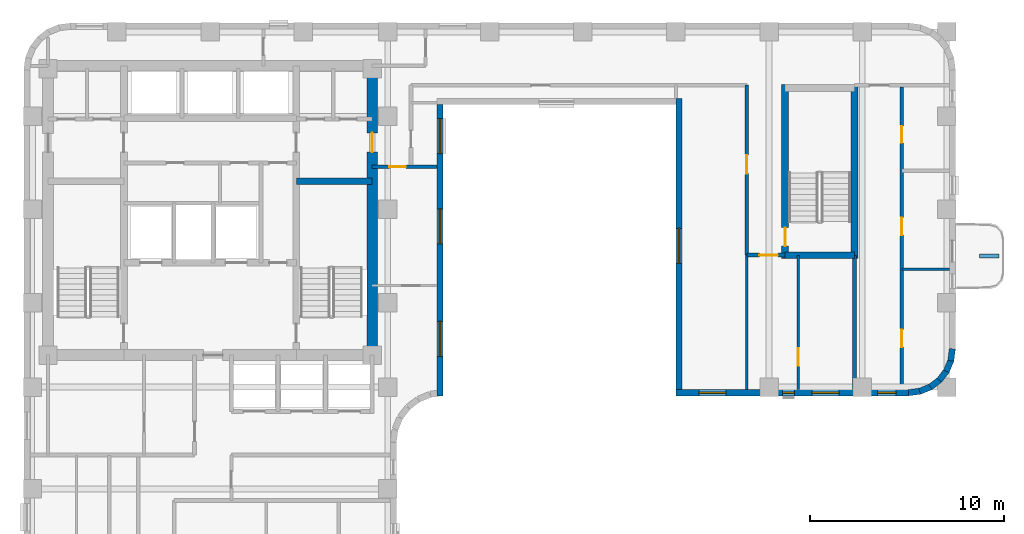
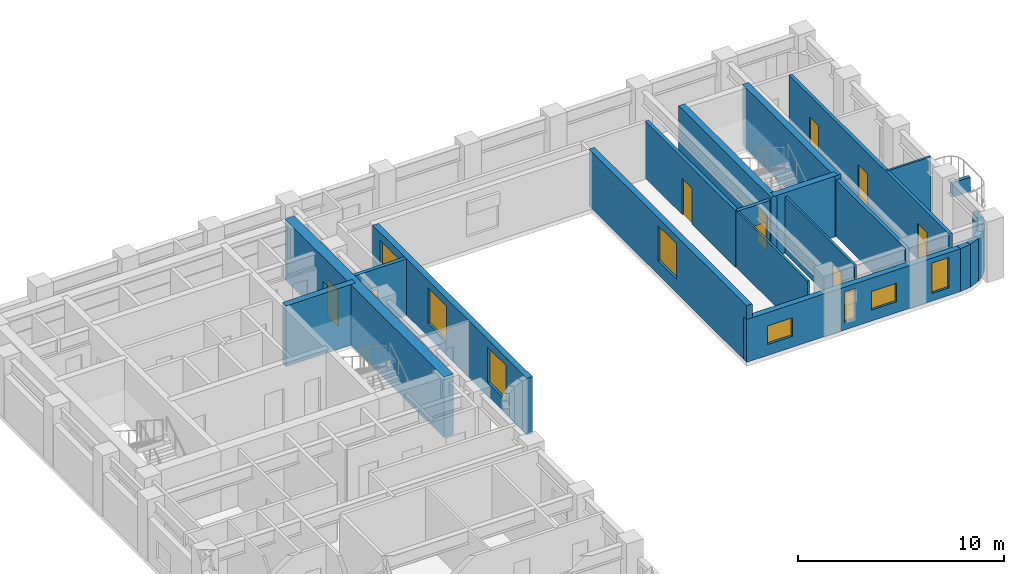
# One storey, part 5 of 10: 23 walls, 9 doors, 8 windows, 17 openings.
"""IFC4 building model written with IfcOpenShell, lengths in metres."""

from ifc_helpers import new_model, si_unit, direction, frame, frame_2d, origin, place, context, subcontext, project, spatial, rectangle, extrude, material, layer, layer_set, type_object, element, fill, save


model = new_model("IFC4")

# Units and contexts
model_context = context("Model", 3, precision=1e-05, world=origin(), true_north=direction((0.0, 1.0)))
body_context = subcontext(model_context, "Body", "Model", "MODEL_VIEW")
ifc_project = project(units=[si_unit("LENGTHUNIT", "METRE"), si_unit("AREAUNIT", "SQUARE_METRE"), si_unit("VOLUMEUNIT", "CUBIC_METRE"), si_unit("PLANEANGLEUNIT", "RADIAN"), si_unit("MASSUNIT", "GRAM", prefix="KILO")], contexts=[model_context])

# Site, building, storey
site_placement = place(None, origin())
site = spatial("IfcSite", under=ifc_project, at=site_placement, CompositionType="ELEMENT")
building_placement = place(site_placement, origin())
building = spatial("IfcBuilding", under=site, at=building_placement, Name="Orvandelia Arch Residences", CompositionType="ELEMENT")
storey_placement = place(building_placement, frame((0.0, 0.0, 179.199951171875)))
storey = spatial("IfcBuildingStorey", under=building, at=storey_placement, Name="L47", CompositionType="ELEMENT", Elevation=179.199951171875)

# Wall
ifc_material_1 = material(Name="Concrete C50/60", Category="concrete")
ifc_layer_1 = layer(ifc_material_1, 0.35009765625, Name="Concrete C50/60", Category="concrete")
ifc_layer_set_1 = layer_set([ifc_layer_1], Name="Concrete C50/60")
wall_type_1 = type_object("IfcWallType", Name="WL-CORE-350", PredefinedType="SHEAR", material=ifc_layer_set_1)
wall_1_placement = place(storey_placement, frame((18.840087890625, 39.85009765625, 0.0), z_axis=(0.0, 0.0, 1.0), x_axis=(1.0, 0.0, 0.0)))
element("IfcWall", 1, at=wall_1_placement, inside=storey, type_object=wall_type_1, Name="Core Shear Wall L47-HZ2", PredefinedType="SHEAR", context=body_context, shape_type="SweptSolid", body=[
    extrude(rectangle(XDim=3.909912109375, YDim=0.35009765625, at=frame_2d((1.955078125, 0.0))), origin(), (0.0, 0.0, 1.0), 3.60009765625),
])

# Wall, opening, door
wall_2_placement = place(storey_placement, frame((44.02001953125, 35.864990234375, 0.0), z_axis=(0.0, 0.0, 1.0), x_axis=(0.0, 1.0, 0.0)))
wall_2 = element("IfcWall", 2, at=wall_2_placement, inside=storey, type_object=wall_type_1, Name="East Stair Core Shear Wall L47-W", PredefinedType="SHEAR", context=body_context, shape_type="SweptSolid", body=[
    extrude(rectangle(XDim=8.969970703125, YDim=0.35009765625, at=frame_2d((4.48486328125, 0.0))), origin(), (0.0, 0.0, 1.0), 3.60009765625),
])
opening_1_placement = place(wall_2_placement, frame((0.64990234375, 0.0, 0.0)))
opening_1 = element("IfcOpeningElement", 3, at=opening_1_placement, cuts=wall_2, Name="Opening D7", PredefinedType="OPENING", context=body_context, shape_type="SweptSolid", body=[
    extrude(rectangle(XDim=0.949951171875, YDim=2.10009765625, at=frame_2d((0.47509765625, 1.050048828125))), frame((0.0, 0.18505859375, 0.0), z_axis=(0.0, -1.0, 0.0), x_axis=(1.0, 0.0, 0.0)), (0.0, 0.0, 1.0), 0.3701171875),
])
ifc_material_2 = material(Name="Pressurised Stairwell Fire Door")
door_type_1 = type_object("IfcDoorType", Name="DR-STAIR-950", OperationType="NOTDEFINED", PredefinedType="DOOR", material=ifc_material_2)
door_1_placement = place(opening_1_placement, origin())
door_1 = element("IfcDoor", 4, at=door_1_placement, inside=storey, type_object=door_type_1, Name="East Stairwell ST-3 Fire Door L47", OperationType="SINGLE_SWING_LEFT", OverallHeight=2.10009765625, OverallWidth=0.949951171875, PredefinedType="DOOR", context=body_context, shape_type="SweptSolid", body=[
    extrude(rectangle(XDim=0.949951171875, YDim=2.10009765625, at=frame_2d((0.47509765625, 1.050048828125))), frame((0.0, 0.02490234375, 0.0), z_axis=(0.0, -1.0, 0.0), x_axis=(1.0, 0.0, 0.0)), (0.0, 0.0, 1.0), 0.050048828125),
])
fill(opening_1, door_1)

# Walls
wall_3_placement = place(storey_placement, frame((47.60009765625, 35.864990234375, 0.0), z_axis=(0.0, 0.0, 1.0), x_axis=(0.0, 1.0, 0.0)))
element("IfcWall", 5, at=wall_3_placement, inside=storey, type_object=wall_type_1, Name="East Stair Core Shear Wall L47-E", PredefinedType="SHEAR", context=body_context, shape_type="SweptSolid", body=[
    extrude(rectangle(XDim=8.969970703125, YDim=0.35009765625, at=frame_2d((4.48486328125, 0.0))), origin(), (0.0, 0.0, 1.0), 3.60009765625),
])
wall_4_placement = place(storey_placement, frame((44.02001953125, 36.0400390625, 0.0), z_axis=(0.0, 0.0, 1.0), x_axis=(1.0, 0.0, 0.0)))
element("IfcWall", 6, at=wall_4_placement, inside=storey, type_object=wall_type_1, Name="East Stair Core Shear Wall L47-S", PredefinedType="SHEAR", context=body_context, shape_type="SweptSolid", body=[
    extrude(rectangle(XDim=3.580078125, YDim=0.35009765625, at=frame_2d((1.7900390625, 0.0))), origin(), (0.0, 0.0, 1.0), 3.60009765625),
])

# Wall, opening, door
ifc_material_3 = material(Name="Concrete C60/75", Category="concrete")
ifc_layer_2 = layer(ifc_material_3, 0.550048828125, Name="Concrete C60/75", Category="concrete")
ifc_layer_set_2 = layer_set([ifc_layer_2], Name="Concrete C60/75")
wall_type_2 = type_object("IfcWallType", Name="WL-CORE-550", PredefinedType="SHEAR", material=ifc_layer_set_2)
wall_5_placement = place(storey_placement, frame((22.75, 30.625, 0.0), z_axis=(0.0, 0.0, 1.0), x_axis=(0.0, 1.0, 0.0)))
wall_5 = element("IfcWall", 7, at=wall_5_placement, inside=storey, type_object=wall_type_2, Name="Core Shear Wall L47-E", PredefinedType="SHEAR", context=body_context, shape_type="SweptSolid", body=[
    extrude(rectangle(XDim=15.449951171875, YDim=0.550048828125, at=frame_2d((7.72509765625, 0.0))), origin(), (0.0, 0.0, 1.0), 3.60009765625),
])
opening_2_placement = place(wall_5_placement, frame((10.72509765625, 0.0, 0.0)))
opening_2 = element("IfcOpeningElement", 8, at=opening_2_placement, cuts=wall_5, Name="Opening D6", PredefinedType="OPENING", context=body_context, shape_type="SweptSolid", body=[
    extrude(rectangle(XDim=1.0, YDim=2.14990234375, at=frame_2d((0.5, 1.074951171875))), frame((0.0, 0.28515625, 0.0), z_axis=(0.0, -1.0, 0.0), x_axis=(1.0, 0.0, 0.0)), (0.0, 0.0, 1.0), 0.570068359375),
])
ifc_material_4 = material(Name="Smokeproof Painted Steel Fire Door", Category="steel")
door_type_2 = type_object("IfcDoorType", Name="DR-FD60-1000", OperationType="NOTDEFINED", PredefinedType="DOOR", material=ifc_material_4)
door_2_placement = place(opening_2_placement, origin())
door_2 = element("IfcDoor", 9, at=door_2_placement, inside=storey, type_object=door_type_2, Name="Core East Corridor Link Door L47", OperationType="SINGLE_SWING_LEFT", OverallHeight=2.14990234375, OverallWidth=1.0, PredefinedType="DOOR", context=body_context, shape_type="SweptSolid", body=[
    extrude(rectangle(XDim=1.0, YDim=2.14990234375, at=frame_2d((0.5, 1.074951171875))), frame((0.0, 0.02490234375, 0.0), z_axis=(0.0, -1.0, 0.0), x_axis=(1.0, 0.0, 0.0)), (0.0, 0.0, 1.0), 0.050048828125),
])
fill(opening_2, door_2)

ifc_material_5 = material(Name="Fire-Rated Corridor Partition")
ifc_layer_3 = layer(ifc_material_5, 0.199951171875, Name="Fire-Rated Corridor Partition")
ifc_layer_set_3 = layer_set([ifc_layer_3], Name="Fire-Rated Corridor Partition")
wall_type_3 = type_object("IfcWallType", Name="WL-CORR-200", PredefinedType="PARTITIONING", material=ifc_layer_set_3)
wall_6_placement = place(storey_placement, frame((22.75, 40.60009765625, 0.0), z_axis=(0.0, 0.0, 1.0), x_axis=(1.0, 0.0, 0.0)))
wall_6 = element("IfcWall", 10, at=wall_6_placement, inside=storey, type_object=wall_type_3, Name="Interior Partition Wall WL-L47-ENP-LS", PredefinedType="PARTITIONING", context=body_context, shape_type="SweptSolid", body=[
    extrude(rectangle(XDim=3.330078125, YDim=0.199951171875, at=frame_2d((1.6650390625, 0.0))), origin(), (0.0, 0.0, 1.0), 3.360107421875),
])
opening_3_placement = place(wall_6_placement, frame((0.8798828125, 0.0, 0.0)))
opening_3 = element("IfcOpeningElement", 11, at=opening_3_placement, cuts=wall_6, Name="Opening D4", PredefinedType="OPENING", context=body_context, shape_type="SweptSolid", body=[
    extrude(rectangle(XDim=0.860107421875, YDim=2.10009765625, at=frame_2d((0.43017578125, 1.050048828125))), frame((0.0, 0.10986328125, 0.0), z_axis=(0.0, -1.0, 0.0), x_axis=(1.0, 0.0, 0.0)), (0.0, 0.0, 1.0), 0.219970703125),
])
ifc_material_6 = material(Name="Moisture-Sealed Timber Bathroom Door", Category="wood")
door_type_3 = type_object("IfcDoorType", Name="DR-WET-900", OperationType="NOTDEFINED", PredefinedType="DOOR", material=ifc_material_6)
door_3_placement = place(opening_3_placement, origin())
door_3 = element("IfcDoor", 12, at=door_3_placement, inside=storey, type_object=door_type_3, Name="DR-L47-VPWL2", OperationType="SINGLE_SWING_RIGHT", OverallHeight=2.10009765625, OverallWidth=0.860107421875, PredefinedType="DOOR", context=body_context, shape_type="SweptSolid", body=[
    extrude(rectangle(XDim=0.860107421875, YDim=2.10009765625, at=frame_2d((0.43017578125, 1.050048828125))), frame((0.0, 0.02490234375, 0.0), z_axis=(0.0, -1.0, 0.0), x_axis=(1.0, 0.0, 0.0)), (0.0, 0.0, 1.0), 0.050048828125),
])
fill(opening_3, door_3)

wall_7_placement = place(storey_placement, frame((42.050048828125, 36.050048828125, 0.0), z_axis=(0.0, 0.0, 1.0), x_axis=(0.0, 1.0, 0.0)))
wall_7 = element("IfcWall", 13, at=wall_7_placement, inside=storey, type_object=wall_type_3, Name="Interior Partition Wall WL-L47-ENP-SW", PredefinedType="PARTITIONING", context=body_context, shape_type="SweptSolid", body=[
    extrude(rectangle(XDim=8.75, YDim=0.199951171875, at=frame_2d((4.375, 0.0))), origin(), (0.0, 0.0, 1.0), 3.360107421875),
])
opening_4_placement = place(wall_7_placement, frame((4.199951171875, 0.0, 0.0)))
opening_4 = element("IfcOpeningElement", 14, at=opening_4_placement, cuts=wall_7, Name="Opening D2", PredefinedType="OPENING", context=body_context, shape_type="SweptSolid", body=[
    extrude(rectangle(XDim=0.949951171875, YDim=2.14990234375, at=frame_2d((0.47509765625, 1.074951171875))), frame((0.0, 0.10986328125, 0.0), z_axis=(0.0, -1.0, 0.0), x_axis=(1.0, 0.0, 0.0)), (0.0, 0.0, 1.0), 0.219970703125),
])
ifc_material_7 = material(Name="Solid-Core Timber Interior Fire Door", Category="wood")
door_type_4 = type_object("IfcDoorType", Name="DR-APT-950", OperationType="NOTDEFINED", PredefinedType="DOOR", material=ifc_material_7)
door_4_placement = place(opening_4_placement, origin())
door_4 = element("IfcDoor", 15, at=door_4_placement, inside=storey, type_object=door_type_4, Name="DR-L47-VPE1", OperationType="SINGLE_SWING_LEFT", OverallHeight=2.14990234375, OverallWidth=0.949951171875, PredefinedType="DOOR", context=body_context, shape_type="SweptSolid", body=[
    extrude(rectangle(XDim=0.949951171875, YDim=2.14990234375, at=frame_2d((0.47509765625, 1.074951171875))), frame((0.0, 0.02490234375, 0.0), z_axis=(0.0, -1.0, 0.0), x_axis=(1.0, 0.0, 0.0)), (0.0, 0.0, 1.0), 0.050048828125),
])
fill(opening_4, door_4)

wall_8_placement = place(storey_placement, frame((42.050048828125, 36.050048828125, 0.0), z_axis=(0.0, 0.0, 1.0), x_axis=(1.0, 0.0, 0.0)))
wall_8 = element("IfcWall", 16, at=wall_8_placement, inside=storey, type_object=wall_type_3, Name="Interior Partition Wall WL-L47-ENP-SS", PredefinedType="PARTITIONING", context=body_context, shape_type="SweptSolid", body=[
    extrude(rectangle(XDim=1.969970703125, YDim=0.199951171875, at=frame_2d((0.98486328125, 0.0))), origin(), (0.0, 0.0, 1.0), 3.360107421875),
])
opening_5_placement = place(wall_8_placement, frame((0.64990234375, 0.0, 0.0)))
opening_5 = element("IfcOpeningElement", 17, at=opening_5_placement, cuts=wall_8, Name="Opening D2", PredefinedType="OPENING", context=body_context, shape_type="SweptSolid", body=[
    extrude(rectangle(XDim=0.949951171875, YDim=2.14990234375, at=frame_2d((0.47509765625, 1.074951171875))), frame((0.0, 0.10986328125, 0.0), z_axis=(0.0, -1.0, 0.0), x_axis=(1.0, 0.0, 0.0)), (0.0, 0.0, 1.0), 0.219970703125),
])
door_5_placement = place(opening_5_placement, origin())
door_5 = element("IfcDoor", 18, at=door_5_placement, inside=storey, type_object=door_type_4, Name="DR-L47-VPS3A", OperationType="SINGLE_SWING_LEFT", OverallHeight=2.14990234375, OverallWidth=0.949951171875, PredefinedType="DOOR", context=body_context, shape_type="SweptSolid", body=[
    extrude(rectangle(XDim=0.949951171875, YDim=2.14990234375, at=frame_2d((0.47509765625, 1.074951171875))), frame((0.0, 0.02490234375, 0.0), z_axis=(0.0, -1.0, 0.0), x_axis=(1.0, 0.0, 0.0)), (0.0, 0.0, 1.0), 0.050048828125),
])
fill(opening_5, door_5)

# Walls
ifc_material_8 = material(Name="Concrete C40/50", Category="concrete")
ifc_layer_4 = layer(ifc_material_8, 0.199951171875, Name="Concrete C40/50", Category="concrete")
ifc_layer_set_4 = layer_set([ifc_layer_4], Name="Concrete C40/50")
wall_type_4 = type_object("IfcWallType", Name="WL-DEM-200", PredefinedType="SOLIDWALL", material=ifc_layer_set_4)
wall_9_placement = place(storey_placement, frame((47.60009765625, 29.1201171875, 0.0), z_axis=(0.0, 0.0, 1.0), x_axis=(0.0, 1.0, 0.0)))
element("IfcWall", 19, at=wall_9_placement, inside=storey, type_object=wall_type_4, Name="Interior Partition Wall WL-L47-VPS3-E", PredefinedType="SOLIDWALL", context=body_context, shape_type="SweptSolid", body=[
    extrude(rectangle(XDim=6.919921875, YDim=0.199951171875, at=frame_2d((3.4599609375, 0.0))), origin(), (0.0, 0.0, 1.0), 3.360107421875),
])
ifc_material_9 = material(Name="Precast concrete C40/50", Category="concrete")
ifc_layer_5 = layer(ifc_material_9, 0.320068359375, Name="Precast concrete C40/50", Category="concrete")
ifc_layer_set_5 = layer_set([ifc_layer_5], Name="Precast concrete C40/50")
wall_type_5 = type_object("IfcWallType", Name="WL-EXT-STONE-320", PredefinedType="STANDARD", material=ifc_layer_set_5)
wall_10_placement = place(storey_placement, frame((52.641357421875, 31.220947265625, 0.0), z_axis=(0.0, 0.0, 1.0), x_axis=(-0.130504898859, -0.991447664465, 0.0)))
element("IfcWall", 20, at=wall_10_placement, inside=storey, type_object=wall_type_5, Name="Coral-Limestone Precast Facade Wall L47-015", PredefinedType="STANDARD", context=body_context, shape_type="SweptSolid", body=[
    extrude(rectangle(XDim=0.626708984375, YDim=0.320068359375, at=frame_2d((0.3134765625, 0.0))), origin(), (0.0, 0.0, 1.0), 2.5400390625),
])
wall_11_placement = place(storey_placement, frame((52.5703125, 30.639892578125, 0.0), z_axis=(0.0, 0.0, 1.0), x_axis=(-0.382455093999, -0.923974080304, 0.0)))
element("IfcWall", 21, at=wall_11_placement, inside=storey, type_object=wall_type_5, Name="Coral-Limestone Precast Facade Wall L47-016", PredefinedType="STANDARD", context=body_context, shape_type="SweptSolid", body=[
    extrude(rectangle(XDim=0.626220703125, YDim=0.320068359375, at=frame_2d((0.31298828125, 0.0))), origin(), (0.0, 0.0, 1.0), 2.5400390625),
])
wall_12_placement = place(storey_placement, frame((52.3515625, 30.097412109375, 0.0), z_axis=(0.0, 0.0, 1.0), x_axis=(-0.608693302629, -0.793405610854, 0.0)))
element("IfcWall", 22, at=wall_12_placement, inside=storey, type_object=wall_type_5, Name="Coral-Limestone Precast Facade Wall L47-017", PredefinedType="STANDARD", context=body_context, shape_type="SweptSolid", body=[
    extrude(rectangle(XDim=0.62646484375, YDim=0.320068359375, at=frame_2d((0.313232421875, 0.0))), origin(), (0.0, 0.0, 1.0), 2.5400390625),
])
wall_13_placement = place(storey_placement, frame((51.999755859375, 29.6298828125, 0.0), z_axis=(0.0, 0.0, 1.0), x_axis=(-0.7932174212, -0.608938521285, 0.0)))
element("IfcWall", 23, at=wall_13_placement, inside=storey, type_object=wall_type_5, Name="Coral-Limestone Precast Facade Wall L47-018", PredefinedType="STANDARD", context=body_context, shape_type="SweptSolid", body=[
    extrude(rectangle(XDim=0.626708984375, YDim=0.320068359375, at=frame_2d((0.3134765625, 0.0))), origin(), (0.0, 0.0, 1.0), 2.5400390625),
])
for number, where, z_axis, x_axis, name in (
    (24, (51.538818359375, 29.269287109375, 0.0), (0.0, 0.0, 1.0), (-0.92389335771, -0.382650053678, 0.0), "Coral-Limestone Precast Facade Wall L47-019"),
    (25, (51.000244140625, 29.040283203125, 0.0), (0.0, 0.0, 1.0), (-0.9914410257, -0.130555323746, 0.0), "Coral-Limestone Precast Facade Wall L47-020"),
):
    element("IfcWall", number, at=place(storey_placement, frame(where, z_axis=z_axis, x_axis=x_axis)), inside=storey, type_object=wall_type_5, Name=name, PredefinedType="STANDARD", context=body_context, shape_type="SweptSolid", body=[
        extrude(rectangle(XDim=0.62646484375, YDim=0.320068359375, at=frame_2d((0.313232421875, 0.0))), origin(), (0.0, 0.0, 1.0), 2.5400390625),
    ])

# Wall, openings, windows
wall_14_placement = place(storey_placement, frame((50.39990234375, 28.9599609375, 0.0), z_axis=(0.0, 0.0, 1.0), x_axis=(-1.0, 0.0, 0.0)))
wall_14 = element("IfcWall", 26, at=wall_14_placement, inside=storey, type_object=wall_type_5, Name="Coral-Limestone Precast Facade Wall L47-021", PredefinedType="STANDARD", context=body_context, shape_type="SweptSolid", body=[
    extrude(rectangle(XDim=12.0, YDim=0.320068359375, at=frame_2d((6.0, 0.0))), origin(), (0.0, 0.0, 1.0), 2.5400390625),
])
opening_6_placement = place(wall_14_placement, frame((0.656005859375, 0.0, 0.449951171875)))
opening_6 = element("IfcOpeningElement", 27, at=opening_6_placement, cuts=wall_14, Name="Opening W4", PredefinedType="OPENING", context=body_context, shape_type="SweptSolid", body=[
    extrude(rectangle(XDim=0.949951171875, YDim=1.800048828125, at=frame_2d((0.47509765625, 0.89990234375))), frame((0.0, 0.169921875, 0.0), z_axis=(0.0, -1.0, 0.0), x_axis=(1.0, 0.0, 0.0)), (0.0, 0.0, 1.0), 0.340087890625),
])
opening_7_placement = place(wall_14_placement, frame((9.425048828125, 0.0, 0.64990234375)))
opening_7 = element("IfcOpeningElement", 28, at=opening_7_placement, cuts=wall_14, Name="Opening W10", PredefinedType="OPENING", context=body_context, shape_type="SweptSolid", body=[
    extrude(rectangle(XDim=1.39990234375, YDim=1.10009765625, at=frame_2d((0.699951171875, 0.550048828125))), frame((0.0, 0.169921875, 0.0), z_axis=(0.0, -1.0, 0.0), x_axis=(1.0, 0.0, 0.0)), (0.0, 0.0, 1.0), 0.340087890625),
])
opening_8_placement = place(wall_14_placement, frame((5.902587890625, 0.0, 0.449951171875)))
opening_8 = element("IfcOpeningElement", 29, at=opening_8_placement, cuts=wall_14, Name="Opening W12", PredefinedType="OPENING", context=body_context, shape_type="SweptSolid", body=[
    extrude(rectangle(XDim=0.60009765625, YDim=1.800048828125, at=frame_2d((0.300048828125, 0.89990234375))), frame((0.0, 0.169921875, 0.0), z_axis=(0.0, -1.0, 0.0), x_axis=(1.0, 0.0, 0.0)), (0.0, 0.0, 1.0), 0.340087890625),
])
opening_9_placement = place(wall_14_placement, frame((3.597412109375, 0.0, 0.64990234375)))
opening_9 = element("IfcOpeningElement", 30, at=opening_9_placement, cuts=wall_14, Name="Opening W10", PredefinedType="OPENING", context=body_context, shape_type="SweptSolid", body=[
    extrude(rectangle(XDim=1.39990234375, YDim=1.10009765625, at=frame_2d((0.699951171875, 0.550048828125))), frame((0.0, 0.169921875, 0.0), z_axis=(0.0, -1.0, 0.0), x_axis=(1.0, 0.0, 0.0)), (0.0, 0.0, 1.0), 0.340087890625),
])
ifc_material_10 = material(Name="Tempered Low-E Insulated Glazing", Category="glass")
window_type_1 = type_object("IfcWindowType", Name="WIN-CLR-1400x1100", PartitioningType="SINGLE_PANEL", PredefinedType="WINDOW", material=ifc_material_10)
window_1_placement = place(opening_7_placement, origin())
window_1 = element("IfcWindow", 31, at=window_1_placement, inside=storey, type_object=window_type_1, Name="Recessed Punched Window L47-008", OverallHeight=1.10009765625, OverallWidth=1.39990234375, PartitioningType="SINGLE_PANEL", PredefinedType="WINDOW", context=body_context, shape_type="SweptSolid", body=[
    extrude(rectangle(XDim=1.39990234375, YDim=1.10009765625, at=frame_2d((0.699951171875, 0.550048828125))), frame((0.0, 0.030029296875, 0.0), z_axis=(0.0, -1.0, 0.0), x_axis=(1.0, 0.0, 0.0)), (0.0, 0.0, 1.0), 0.06005859375),
])
fill(opening_7, window_1)
window_2_placement = place(opening_9_placement, origin())
window_2 = element("IfcWindow", 32, at=window_2_placement, inside=storey, type_object=window_type_1, Name="Recessed Punched Window L47-010", OverallHeight=1.10009765625, OverallWidth=1.39990234375, PartitioningType="SINGLE_PANEL", PredefinedType="WINDOW", context=body_context, shape_type="SweptSolid", body=[
    extrude(rectangle(XDim=1.39990234375, YDim=1.10009765625, at=frame_2d((0.699951171875, 0.550048828125))), frame((0.0, 0.030029296875, 0.0), z_axis=(0.0, -1.0, 0.0), x_axis=(1.0, 0.0, 0.0)), (0.0, 0.0, 1.0), 0.06005859375),
])
fill(opening_9, window_2)
window_type_2 = type_object("IfcWindowType", Name="WIN-LAN-0600x1800", PartitioningType="SINGLE_PANEL", PredefinedType="WINDOW", material=ifc_material_10)
window_3_placement = place(opening_8_placement, origin())
window_3 = element("IfcWindow", 33, at=window_3_placement, inside=storey, type_object=window_type_2, Name="Recessed Punched Window L47-009", OverallHeight=1.800048828125, OverallWidth=0.60009765625, PartitioningType="SINGLE_PANEL", PredefinedType="WINDOW", context=body_context, shape_type="SweptSolid", body=[
    extrude(rectangle(XDim=0.60009765625, YDim=1.800048828125, at=frame_2d((0.300048828125, 0.89990234375))), frame((0.0, 0.030029296875, 0.0), z_axis=(0.0, -1.0, 0.0), x_axis=(1.0, 0.0, 0.0)), (0.0, 0.0, 1.0), 0.06005859375),
])
fill(opening_8, window_3)
window_type_3 = type_object("IfcWindowType", Name="WIN-RES-0950x1800", PartitioningType="SINGLE_PANEL", PredefinedType="WINDOW", material=ifc_material_10)
window_4_placement = place(opening_6_placement, origin())
window_4 = element("IfcWindow", 34, at=window_4_placement, inside=storey, type_object=window_type_3, Name="Recessed Punched Window L47-007", OverallHeight=1.800048828125, OverallWidth=0.949951171875, PartitioningType="SINGLE_PANEL", PredefinedType="WINDOW", context=body_context, shape_type="SweptSolid", body=[
    extrude(rectangle(XDim=0.949951171875, YDim=1.800048828125, at=frame_2d((0.47509765625, 0.89990234375))), frame((0.0, 0.030029296875, 0.0), z_axis=(0.0, -1.0, 0.0), x_axis=(1.0, 0.0, 0.0)), (0.0, 0.0, 1.0), 0.06005859375),
])
fill(opening_6, window_4)

# Wall, opening, window
wall_15_placement = place(storey_placement, frame((38.56005859375, 28.800048828125, 0.0), z_axis=(0.0, 0.0, 1.0), x_axis=(0.0, 1.0, 0.0)))
wall_15 = element("IfcWall", 35, at=wall_15_placement, inside=storey, type_object=wall_type_5, Name="Coral-Limestone Precast Facade Wall L47-022", PredefinedType="STANDARD", context=body_context, shape_type="SweptSolid", body=[
    extrude(rectangle(XDim=15.320068359375, YDim=0.320068359375, at=frame_2d((7.66015625, 0.0))), origin(), (0.0, 0.0, 1.0), 3.360107421875),
])
opening_10_placement = place(wall_15_placement, frame((6.820068359375, 0.0, 0.800048828125)))
opening_10 = element("IfcOpeningElement", 36, at=opening_10_placement, cuts=wall_15, Name="Opening W1", PredefinedType="OPENING", context=body_context, shape_type="SweptSolid", body=[
    extrude(rectangle(XDim=1.800048828125, YDim=2.10009765625, at=frame_2d((0.89990234375, 1.050048828125))), frame((0.0, 0.169921875, 0.0), z_axis=(0.0, -1.0, 0.0), x_axis=(1.0, 0.0, 0.0)), (0.0, 0.0, 1.0), 0.340087890625),
])
window_type_4 = type_object("IfcWindowType", Name="WIN-RES-1800x2100", PartitioningType="SINGLE_PANEL", PredefinedType="WINDOW", material=ifc_material_10)
window_5_placement = place(opening_10_placement, origin())
window_5 = element("IfcWindow", 37, at=window_5_placement, inside=storey, type_object=window_type_4, Name="Recessed Punched Window L47-011", OverallHeight=2.10009765625, OverallWidth=1.800048828125, PartitioningType="SINGLE_PANEL", PredefinedType="WINDOW", context=body_context, shape_type="SweptSolid", body=[
    extrude(rectangle(XDim=1.800048828125, YDim=2.10009765625, at=frame_2d((0.89990234375, 1.050048828125))), frame((0.0, 0.030029296875, 0.0), z_axis=(0.0, -1.0, 0.0), x_axis=(1.0, 0.0, 0.0)), (0.0, 0.0, 1.0), 0.06005859375),
])
fill(opening_10, window_5)

# Wall, openings, windows
wall_16_placement = place(storey_placement, frame((26.239990234375, 43.800048828125, 0.0), z_axis=(0.0, 0.0, 1.0), x_axis=(0.0, -1.0, 0.0)))
wall_16 = element("IfcWall", 38, at=wall_16_placement, inside=storey, type_object=wall_type_5, Name="Coral-Limestone Precast Facade Wall L47-024", PredefinedType="STANDARD", context=body_context, shape_type="SweptSolid", body=[
    extrude(rectangle(XDim=15.0, YDim=0.320068359375, at=frame_2d((7.5, 0.0))), origin(), (0.0, 0.0, 1.0), 3.360107421875),
])
opening_11_placement = place(wall_16_placement, frame((11.169921875, 0.0, 0.800048828125)))
opening_11 = element("IfcOpeningElement", 39, at=opening_11_placement, cuts=wall_16, Name="Opening W1", PredefinedType="OPENING", context=body_context, shape_type="SweptSolid", body=[
    extrude(rectangle(XDim=1.800048828125, YDim=2.10009765625, at=frame_2d((0.89990234375, 1.050048828125))), frame((0.0, 0.169921875, 0.0), z_axis=(0.0, -1.0, 0.0), x_axis=(1.0, 0.0, 0.0)), (0.0, 0.0, 1.0), 0.340087890625),
])
opening_12_placement = place(wall_16_placement, frame((5.3701171875, 0.0, 0.800048828125)))
opening_12 = element("IfcOpeningElement", 40, at=opening_12_placement, cuts=wall_16, Name="Opening W1", PredefinedType="OPENING", context=body_context, shape_type="SweptSolid", body=[
    extrude(rectangle(XDim=1.800048828125, YDim=2.10009765625, at=frame_2d((0.89990234375, 1.050048828125))), frame((0.0, 0.169921875, 0.0), z_axis=(0.0, -1.0, 0.0), x_axis=(1.0, 0.0, 0.0)), (0.0, 0.0, 1.0), 0.340087890625),
])
opening_13_placement = place(wall_16_placement, frame((0.719970703125, 0.0, 0.800048828125)))
opening_13 = element("IfcOpeningElement", 41, at=opening_13_placement, cuts=wall_16, Name="Opening W1", PredefinedType="OPENING", context=body_context, shape_type="SweptSolid", body=[
    extrude(rectangle(XDim=1.800048828125, YDim=2.10009765625, at=frame_2d((0.89990234375, 1.050048828125))), frame((0.0, 0.169921875, 0.0), z_axis=(0.0, -1.0, 0.0), x_axis=(1.0, 0.0, 0.0)), (0.0, 0.0, 1.0), 0.340087890625),
])
window_6_placement = place(opening_11_placement, origin())
window_6 = element("IfcWindow", 42, at=window_6_placement, inside=storey, type_object=window_type_4, Name="Recessed Punched Window L47-013", OverallHeight=2.10009765625, OverallWidth=1.800048828125, PartitioningType="SINGLE_PANEL", PredefinedType="WINDOW", context=body_context, shape_type="SweptSolid", body=[
    extrude(rectangle(XDim=1.800048828125, YDim=2.10009765625, at=frame_2d((0.89990234375, 1.050048828125))), frame((0.0, 0.030029296875, 0.0), z_axis=(0.0, -1.0, 0.0), x_axis=(1.0, 0.0, 0.0)), (0.0, 0.0, 1.0), 0.06005859375),
])
fill(opening_11, window_6)
window_7_placement = place(opening_12_placement, origin())
window_7 = element("IfcWindow", 43, at=window_7_placement, inside=storey, type_object=window_type_4, Name="Recessed Punched Window L47-014", OverallHeight=2.10009765625, OverallWidth=1.800048828125, PartitioningType="SINGLE_PANEL", PredefinedType="WINDOW", context=body_context, shape_type="SweptSolid", body=[
    extrude(rectangle(XDim=1.800048828125, YDim=2.10009765625, at=frame_2d((0.89990234375, 1.050048828125))), frame((0.0, 0.030029296875, 0.0), z_axis=(0.0, -1.0, 0.0), x_axis=(1.0, 0.0, 0.0)), (0.0, 0.0, 1.0), 0.06005859375),
])
fill(opening_12, window_7)
window_8_placement = place(opening_13_placement, origin())
window_8 = element("IfcWindow", 44, at=window_8_placement, inside=storey, type_object=window_type_4, Name="Recessed Punched Window L47-015", OverallHeight=2.10009765625, OverallWidth=1.800048828125, PartitioningType="SINGLE_PANEL", PredefinedType="WINDOW", context=body_context, shape_type="SweptSolid", body=[
    extrude(rectangle(XDim=1.800048828125, YDim=2.10009765625, at=frame_2d((0.89990234375, 1.050048828125))), frame((0.0, 0.030029296875, 0.0), z_axis=(0.0, -1.0, 0.0), x_axis=(1.0, 0.0, 0.0)), (0.0, 0.0, 1.0), 0.06005859375),
])
fill(opening_13, window_8)

# Wall, opening, door
ifc_material_11 = material(Name="Lightweight Gypsum Stud Partition")
ifc_layer_6 = layer(ifc_material_11, 0.1201171875, Name="Lightweight Gypsum Stud Partition")
ifc_layer_set_6 = layer_set([ifc_layer_6], Name="Lightweight Gypsum Stud Partition")
wall_type_6 = type_object("IfcWallType", Name="WL-PART-120", PredefinedType="PARTITIONING", material=ifc_layer_set_6)
wall_17_placement = place(storey_placement, frame((44.699951171875, 29.1201171875, 0.0), z_axis=(0.0, 0.0, 1.0), x_axis=(0.0, 1.0, 0.0)))
wall_17 = element("IfcWall", 45, at=wall_17_placement, inside=storey, type_object=wall_type_6, Name="Interior Partition Wall WL-L47-VPS3-M", PredefinedType="PARTITIONING", context=body_context, shape_type="SweptSolid", body=[
    extrude(rectangle(XDim=6.919921875, YDim=0.1201171875, at=frame_2d((3.4599609375, 0.0))), origin(), (0.0, 0.0, 1.0), 3.360107421875),
])
opening_14_placement = place(wall_17_placement, frame((1.239990234375, 0.0, 0.0)))
opening_14 = element("IfcOpeningElement", 46, at=opening_14_placement, cuts=wall_17, Name="Opening D3", PredefinedType="OPENING", context=body_context, shape_type="SweptSolid", body=[
    extrude(rectangle(XDim=0.89990234375, YDim=2.14990234375, at=frame_2d((0.449951171875, 1.074951171875))), frame((0.0, 0.070068359375, 0.0), z_axis=(0.0, -1.0, 0.0), x_axis=(1.0, 0.0, 0.0)), (0.0, 0.0, 1.0), 0.14013671875),
])
ifc_material_12 = material(Name="Engineered Timber Flush Door", Category="wood")
door_type_5 = type_object("IfcDoorType", Name="DR-INT-900", OperationType="NOTDEFINED", PredefinedType="DOOR", material=ifc_material_12)
door_6_placement = place(opening_14_placement, origin())
door_6 = element("IfcDoor", 47, at=door_6_placement, inside=storey, type_object=door_type_5, Name="DR-L47-VPS3B", OperationType="SINGLE_SWING_RIGHT", OverallHeight=2.14990234375, OverallWidth=0.89990234375, PredefinedType="DOOR", context=body_context, shape_type="SweptSolid", body=[
    extrude(rectangle(XDim=0.89990234375, YDim=2.14990234375, at=frame_2d((0.449951171875, 1.074951171875))), frame((0.0, 0.02490234375, 0.0), z_axis=(0.0, -1.0, 0.0), x_axis=(1.0, 0.0, 0.0)), (0.0, 0.0, 1.0), 0.050048828125),
])
fill(opening_14, door_6)

# Walls
wall_18_placement = place(storey_placement, frame((42.050048828125, 29.1201171875, 0.0), z_axis=(0.0, 0.0, 1.0), x_axis=(0.0, 1.0, 0.0)))
element("IfcWall", 48, at=wall_18_placement, inside=storey, type_object=wall_type_6, Name="Interior Partition Wall WL-L47-VPS3-W", PredefinedType="PARTITIONING", context=body_context, shape_type="SweptSolid", body=[
    extrude(rectangle(XDim=6.929931640625, YDim=0.1201171875, at=frame_2d((3.46484375, 0.0))), origin(), (0.0, 0.0, 1.0), 3.360107421875),
])
wall_19_placement = place(storey_placement, frame((50.04296875, 35.31591796875, 0.0), z_axis=(0.0, 0.0, 1.0), x_axis=(1.0, 0.0, 0.0)))
element("IfcWall", 49, at=wall_19_placement, inside=storey, type_object=wall_type_6, Name="Interior Partition Wall WL-L47-U05-H1", PredefinedType="PARTITIONING", context=body_context, shape_type="SweptSolid", body=[
    extrude(rectangle(XDim=2.43701171875, YDim=0.1201171875, at=frame_2d((1.218505859375, 0.0))), origin(), (0.0, 0.0, 1.0), 3.360107421875),
])
ifc_layer_7 = layer(ifc_material_9, 0.199951171875, Name="Precast concrete C40/50", Category="concrete")
ifc_layer_set_7 = layer_set([ifc_layer_7], Name="Precast concrete C40/50")
wall_type_7 = type_object("IfcWallType", Name="WL-PLANTER-200", PredefinedType="MOVABLE", material=ifc_layer_set_7)
wall_20_placement = place(storey_placement, frame((54.050048828125, 36.0, 0.0), z_axis=(0.0, 0.0, 1.0), x_axis=(1.0, 0.0, 0.0)))
element("IfcWall", 50, at=wall_20_placement, inside=storey, type_object=wall_type_7, Name="Balcony Precast Tree Planter BAL-L47-E1", PredefinedType="MOVABLE", context=body_context, shape_type="SweptSolid", body=[
    extrude(rectangle(XDim=1.0, YDim=0.199951171875, at=frame_2d((0.5, 0.0))), origin(), (0.0, 0.0, 1.0), 0.85009765625),
])

# Wall, openings, doors
ifc_material_13 = material(Name="Moisture-Resistant Plumbing Wall")
ifc_layer_8 = layer(ifc_material_13, 0.179931640625, Name="Moisture-Resistant Plumbing Wall")
ifc_layer_set_8 = layer_set([ifc_layer_8], Name="Moisture-Resistant Plumbing Wall")
wall_type_8 = type_object("IfcWallType", Name="WL-WET-180", PredefinedType="PLUMBINGWALL", material=ifc_layer_set_8)
wall_21_placement = place(storey_placement, frame((50.04296875, 29.1201171875, 0.0), z_axis=(0.0, 0.0, 1.0), x_axis=(0.0, 1.0, 0.0)))
wall_21 = element("IfcWall", 51, at=wall_21_placement, inside=storey, type_object=wall_type_8, Name="Interior Partition Wall WL-L47-U05-VT", PredefinedType="PLUMBINGWALL", context=body_context, shape_type="SweptSolid", body=[
    extrude(rectangle(XDim=15.579833984375, YDim=0.179931640625, at=frame_2d((7.7900390625, 0.0))), origin(), (0.0, 0.0, 1.0), 3.360107421875),
])
opening_15_placement = place(wall_21_placement, frame((2.1826171875, 0.0, 0.0)))
opening_15 = element("IfcOpeningElement", 52, at=opening_15_placement, cuts=wall_21, Name="Opening D3", PredefinedType="OPENING", context=body_context, shape_type="SweptSolid", body=[
    extrude(rectangle(XDim=0.89990234375, YDim=2.14990234375, at=frame_2d((0.449951171875, 1.074951171875))), frame((0.0, 0.10009765625, 0.0), z_axis=(0.0, -1.0, 0.0), x_axis=(1.0, 0.0, 0.0)), (0.0, 0.0, 1.0), 0.199951171875),
])
opening_16_placement = place(wall_21_placement, frame((7.958740234375, 0.0, 0.0)))
opening_16 = element("IfcOpeningElement", 53, at=opening_16_placement, cuts=wall_21, Name="Opening D3", PredefinedType="OPENING", context=body_context, shape_type="SweptSolid", body=[
    extrude(rectangle(XDim=0.89990234375, YDim=2.14990234375, at=frame_2d((0.449951171875, 1.074951171875))), frame((0.0, 0.10009765625, 0.0), z_axis=(0.0, -1.0, 0.0), x_axis=(1.0, 0.0, 0.0)), (0.0, 0.0, 1.0), 0.199951171875),
])
opening_17_placement = place(wall_21_placement, frame((12.710693359375, 0.0, 0.0)))
opening_17 = element("IfcOpeningElement", 54, at=opening_17_placement, cuts=wall_21, Name="Opening D4", PredefinedType="OPENING", context=body_context, shape_type="SweptSolid", body=[
    extrude(rectangle(XDim=0.860107421875, YDim=2.10009765625, at=frame_2d((0.43017578125, 1.050048828125))), frame((0.0, 0.10009765625, 0.0), z_axis=(0.0, -1.0, 0.0), x_axis=(1.0, 0.0, 0.0)), (0.0, 0.0, 1.0), 0.199951171875),
])
door_7_placement = place(opening_15_placement, origin())
door_7 = element("IfcDoor", 55, at=door_7_placement, inside=storey, type_object=door_type_5, Name="DR-L47-U05-BD1", OperationType="SINGLE_SWING_LEFT", OverallHeight=2.14990234375, OverallWidth=0.89990234375, PredefinedType="DOOR", context=body_context, shape_type="SweptSolid", body=[
    extrude(rectangle(XDim=0.89990234375, YDim=2.14990234375, at=frame_2d((0.449951171875, 1.074951171875))), frame((0.0, 0.02490234375, 0.0), z_axis=(0.0, -1.0, 0.0), x_axis=(1.0, 0.0, 0.0)), (0.0, 0.0, 1.0), 0.050048828125),
])
fill(opening_15, door_7)
door_8_placement = place(opening_16_placement, origin())
door_8 = element("IfcDoor", 56, at=door_8_placement, inside=storey, type_object=door_type_5, Name="DR-L47-U05-KIT", OperationType="SINGLE_SWING_RIGHT", OverallHeight=2.14990234375, OverallWidth=0.89990234375, PredefinedType="DOOR", context=body_context, shape_type="SweptSolid", body=[
    extrude(rectangle(XDim=0.89990234375, YDim=2.14990234375, at=frame_2d((0.449951171875, 1.074951171875))), frame((0.0, 0.02490234375, 0.0), z_axis=(0.0, -1.0, 0.0), x_axis=(1.0, 0.0, 0.0)), (0.0, 0.0, 1.0), 0.050048828125),
])
fill(opening_16, door_8)
door_9_placement = place(opening_17_placement, origin())
door_9 = element("IfcDoor", 57, at=door_9_placement, inside=storey, type_object=door_type_3, Name="DR-L47-U05-BTH", OperationType="SINGLE_SWING_LEFT", OverallHeight=2.10009765625, OverallWidth=0.860107421875, PredefinedType="DOOR", context=body_context, shape_type="SweptSolid", body=[
    extrude(rectangle(XDim=0.860107421875, YDim=2.10009765625, at=frame_2d((0.43017578125, 1.050048828125))), frame((0.0, 0.02490234375, 0.0), z_axis=(0.0, -1.0, 0.0), x_axis=(1.0, 0.0, 0.0)), (0.0, 0.0, 1.0), 0.050048828125),
])
fill(opening_17, door_9)

save(model, "model.ifc")
